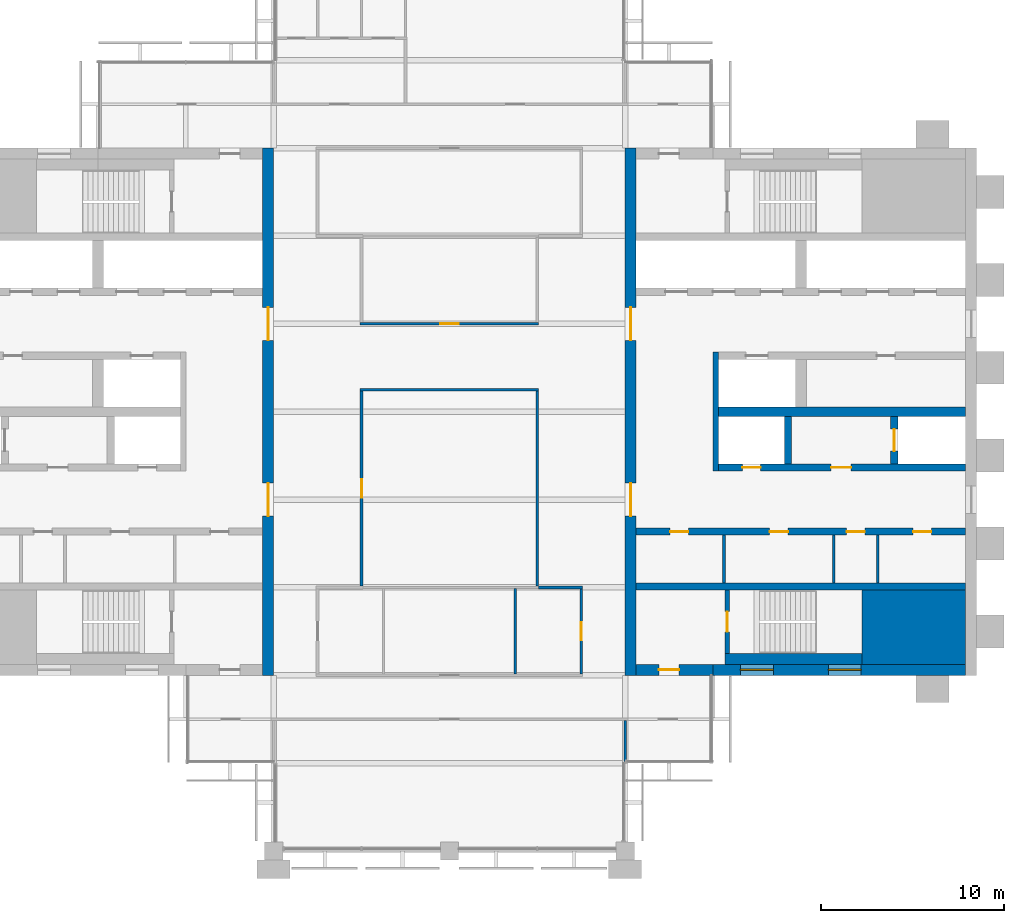
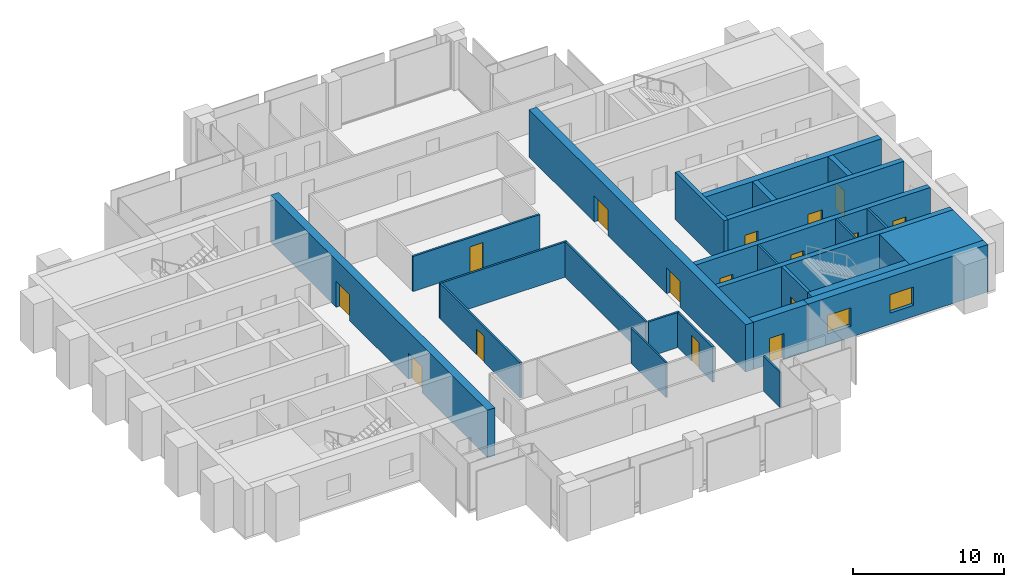
# One storey, part 9 of 12: 25 walls, 16 doors, 2 windows, 18 openings.
"""IFC4 building model written with IfcOpenShell, lengths in metres."""

from ifc_helpers import new_model, si_unit, direction, frame, frame_2d, origin, place, context, subcontext, project, spatial, rectangle, extrude, material, layer, layer_set, type_object, element, fill, save


model = new_model("IFC4")

# Units and contexts
model_context = context("Model", 3, precision=1e-05, world=origin(), true_north=direction((0.0, 1.0)))
body_context = subcontext(model_context, "Body", "Model", "MODEL_VIEW")
ifc_project = project(units=[si_unit("LENGTHUNIT", "METRE"), si_unit("AREAUNIT", "SQUARE_METRE"), si_unit("VOLUMEUNIT", "CUBIC_METRE"), si_unit("PLANEANGLEUNIT", "RADIAN"), si_unit("MASSUNIT", "GRAM", prefix="KILO")], contexts=[model_context])

# Site, building, storey
site_placement = place(None, origin())
site = spatial("IfcSite", under=ifc_project, at=site_placement, CompositionType="ELEMENT")
building_placement = place(site_placement, origin())
building = spatial("IfcBuilding", under=site, at=building_placement, Name="Baori Bourse Tower", CompositionType="ELEMENT")
storey_placement = place(building_placement, frame((0.0, 0.0, 286.300048828125)))
storey = spatial("IfcBuildingStorey", under=building, at=storey_placement, Name="L62", CompositionType="ELEMENT", Elevation=286.300048828125)

# Walls
ifc_material_1 = material(Name="Concrete f'c 40 MPa", Category="concrete")
wall_type_1 = type_object("IfcWallType", Name="Core corner block f'c 40", PredefinedType="SHEAR", material=ifc_material_1)
wall_1_placement = place(storey_placement, frame((51.35009765625, 12.22509765625, 0.0), z_axis=(0.0, 0.0, 1.0), x_axis=(1.0, 0.0, 0.0)))
element("IfcWall", 1, at=wall_1_placement, inside=storey, type_object=wall_type_1, Name="Core wall E05", PredefinedType="SHEAR", context=body_context, shape_type="SweptSolid", body=[
    extrude(rectangle(XDim=5.64990234375, YDim=4.050048828125, at=frame_2d((2.824951171875, 0.0))), origin(), (0.0, 0.0, 1.0), 3.83984375),
])
ifc_material_2 = material(Name="Blockwork partition", Category="masonry")
ifc_layer_1 = layer(ifc_material_2, 0.14990234375)
ifc_layer_set_1 = layer_set([ifc_layer_1], Name="Core partition 150")
wall_type_2 = type_object("IfcWallType", Name="Core partition 150", PredefinedType="PARTITIONING", material=ifc_layer_set_1)
for number, where, z_axis, x_axis, name in (
    (2, (52.199951171875, 14.64990234375, 0.0), (0.0, 0.0, 1.0), (0.0, 1.0, 0.0), "Partition wall E09"),
    (3, (49.800048828125, 14.64990234375, 0.0), (0.0, 0.0, 1.0), (0.0, 1.0, 0.0), "Partition wall E10"),
    (4, (43.800048828125, 14.64990234375, 0.0), (0.0, 0.0, 1.0), (0.0, 1.0, 0.0), "Partition wall E11"),
):
    element("IfcWall", number, at=place(storey_placement, frame(where, z_axis=z_axis, x_axis=x_axis)), inside=storey, type_object=wall_type_2, Name=name, PredefinedType="PARTITIONING", context=body_context, shape_type="SweptSolid", body=[
        extrude(rectangle(XDim=2.60009765625, YDim=0.14990234375, at=frame_2d((1.300048828125, 0.0))), origin(), (0.0, 0.0, 1.0), 3.83984375),
    ])

# Wall, openings, doors
ifc_material_3 = material(Name="Concrete f'c 40 MPa", Category="concrete")
ifc_layer_2 = layer(ifc_material_3, 0.60009765625)
ifc_layer_set_2 = layer_set([ifc_layer_2], Name="Core wall 600 f'c 40")
wall_type_3 = type_object("IfcWallType", Name="Core wall 600 f'c 40", PredefinedType="SHEAR", material=ifc_layer_set_2)
wall_2_placement = place(storey_placement, frame((18.89990234375, 38.39990234375, 0.0), z_axis=(0.0, 0.0, 1.0), x_axis=(0.0, -1.0, 0.0)))
wall_2 = element("IfcWall", 5, at=wall_2_placement, inside=storey, type_object=wall_type_3, Name="Core wall W04", PredefinedType="SHEAR", context=body_context, shape_type="SweptSolid", body=[
    extrude(rectangle(XDim=28.7998046875, YDim=0.60009765625, at=frame_2d((14.39990234375, 0.0))), origin(), (0.0, 0.0, 1.0), 3.83984375),
])
opening_1_placement = place(wall_2_placement, frame((18.300048828125, 0.0, 0.0)))
opening_1 = element("IfcOpeningElement", 6, at=opening_1_placement, cuts=wall_2, Name="Opening L62-D107", PredefinedType="OPENING", context=body_context, shape_type="SweptSolid", body=[
    extrude(rectangle(XDim=1.800048828125, YDim=2.10009765625, at=frame_2d((0.89990234375, 1.050048828125))), frame((0.0, 0.31005859375, 0.0), z_axis=(0.0, -1.0, 0.0), x_axis=(1.0, 0.0, 0.0)), (0.0, 0.0, 1.0), 0.6201171875),
])
opening_2_placement = place(wall_2_placement, frame((8.699951171875, 0.0, 0.0)))
opening_2 = element("IfcOpeningElement", 7, at=opening_2_placement, cuts=wall_2, Name="Opening L62-D108", PredefinedType="OPENING", context=body_context, shape_type="SweptSolid", body=[
    extrude(rectangle(XDim=1.800048828125, YDim=2.10009765625, at=frame_2d((0.89990234375, 1.050048828125))), frame((0.0, 0.31005859375, 0.0), z_axis=(0.0, -1.0, 0.0), x_axis=(1.0, 0.0, 0.0)), (0.0, 0.0, 1.0), 0.6201171875),
])
ifc_material_4 = material(Name="Painted steel door", Category="steel")
door_type_1 = type_object("IfcDoorType", Name="Core lobby door 1800", OperationType="DOUBLE_DOOR_SINGLE_SWING", PredefinedType="DOOR", material=ifc_material_4)
door_1_placement = place(opening_1_placement, origin())
door_1 = element("IfcDoor", 8, at=door_1_placement, inside=storey, type_object=door_type_1, Name="Lobby door W L62", OperationType="DOUBLE_DOOR_SINGLE_SWING", OverallHeight=2.10009765625, OverallWidth=1.800048828125, PredefinedType="DOOR", context=body_context, shape_type="SweptSolid", body=[
    extrude(rectangle(XDim=1.800048828125, YDim=2.10009765625, at=frame_2d((0.89990234375, 1.050048828125))), frame((0.0, 0.02490234375, 0.0), z_axis=(0.0, -1.0, 0.0), x_axis=(1.0, 0.0, 0.0)), (0.0, 0.0, 1.0), 0.050048828125),
])
fill(opening_1, door_1)
door_2_placement = place(opening_2_placement, origin())
door_2 = element("IfcDoor", 9, at=door_2_placement, inside=storey, type_object=door_type_1, Name="Lobby door W L62", OperationType="DOUBLE_DOOR_SINGLE_SWING", OverallHeight=2.10009765625, OverallWidth=1.800048828125, PredefinedType="DOOR", context=body_context, shape_type="SweptSolid", body=[
    extrude(rectangle(XDim=1.800048828125, YDim=2.10009765625, at=frame_2d((0.89990234375, 1.050048828125))), frame((0.0, 0.02490234375, 0.0), z_axis=(0.0, -1.0, 0.0), x_axis=(1.0, 0.0, 0.0)), (0.0, 0.0, 1.0), 0.050048828125),
])
fill(opening_2, door_2)

# Wall, openings, windows
wall_3_placement = place(storey_placement, frame((57.0, 9.89990234375, 0.0), z_axis=(0.0, 0.0, 1.0), x_axis=(-1.0, 0.0, 0.0)))
wall_3 = element("IfcWall", 10, at=wall_3_placement, inside=storey, type_object=wall_type_3, Name="Core wall E02", PredefinedType="SHEAR", context=body_context, shape_type="SweptSolid", body=[
    extrude(rectangle(XDim=13.800048828125, YDim=0.60009765625, at=frame_2d((6.89990234375, 0.0))), origin(), (0.0, 0.0, 1.0), 3.83984375),
])
opening_3_placement = place(wall_3_placement, frame((5.699951171875, 0.0, 0.89990234375)))
opening_3 = element("IfcOpeningElement", 11, at=opening_3_placement, cuts=wall_3, Name="Opening L62-KW203", PredefinedType="OPENING", context=body_context, shape_type="SweptSolid", body=[
    extrude(rectangle(XDim=1.800048828125, YDim=1.5, at=frame_2d((0.89990234375, 0.75))), frame((0.0, 0.31005859375, 0.0), z_axis=(0.0, -1.0, 0.0), x_axis=(1.0, 0.0, 0.0)), (0.0, 0.0, 1.0), 0.6201171875),
])
opening_4_placement = place(wall_3_placement, frame((10.5, 0.0, 0.89990234375)))
opening_4 = element("IfcOpeningElement", 12, at=opening_4_placement, cuts=wall_3, Name="Opening L62-KW204", PredefinedType="OPENING", context=body_context, shape_type="SweptSolid", body=[
    extrude(rectangle(XDim=1.800048828125, YDim=1.5, at=frame_2d((0.89990234375, 0.75))), frame((0.0, 0.31005859375, 0.0), z_axis=(0.0, -1.0, 0.0), x_axis=(1.0, 0.0, 0.0)), (0.0, 0.0, 1.0), 0.6201171875),
])
ifc_material_5 = material(Name="Pale anodised aluminium", Category="aluminium")
window_type = type_object("IfcWindowType", Name="Stair window 1800 x 1500", PartitioningType="SINGLE_PANEL", PredefinedType="WINDOW", material=ifc_material_5)
window_1_placement = place(opening_3_placement, origin())
window_1 = element("IfcWindow", 13, at=window_1_placement, inside=storey, type_object=window_type, Name="Stair window E L62 3", OverallHeight=1.5, OverallWidth=1.800048828125, PartitioningType="SINGLE_PANEL", PredefinedType="WINDOW", context=body_context, shape_type="SweptSolid", body=[
    extrude(rectangle(XDim=1.800048828125, YDim=1.5, at=frame_2d((0.89990234375, 0.75))), frame((0.0, 0.030029296875, 0.0), z_axis=(0.0, -1.0, 0.0), x_axis=(1.0, 0.0, 0.0)), (0.0, 0.0, 1.0), 0.06005859375),
])
fill(opening_3, window_1)
window_2_placement = place(opening_4_placement, origin())
window_2 = element("IfcWindow", 14, at=window_2_placement, inside=storey, type_object=window_type, Name="Stair window E L62 4", OverallHeight=1.5, OverallWidth=1.800048828125, PartitioningType="SINGLE_PANEL", PredefinedType="WINDOW", context=body_context, shape_type="SweptSolid", body=[
    extrude(rectangle(XDim=1.800048828125, YDim=1.5, at=frame_2d((0.89990234375, 0.75))), frame((0.0, 0.030029296875, 0.0), z_axis=(0.0, -1.0, 0.0), x_axis=(1.0, 0.0, 0.0)), (0.0, 0.0, 1.0), 0.06005859375),
])
fill(opening_4, window_2)

# Wall, opening, door
wall_4_placement = place(storey_placement, frame((43.199951171875, 9.89990234375, 0.0), z_axis=(0.0, 0.0, 1.0), x_axis=(-1.0, 0.0, 0.0)))
wall_4 = element("IfcWall", 15, at=wall_4_placement, inside=storey, type_object=wall_type_3, Name="Core wall E03", PredefinedType="SHEAR", context=body_context, shape_type="SweptSolid", body=[
    extrude(rectangle(XDim=4.199951171875, YDim=0.60009765625, at=frame_2d((2.10009765625, 0.0))), origin(), (0.0, 0.0, 1.0), 3.83984375),
])
opening_5_placement = place(wall_4_placement, frame((1.85009765625, 0.0, 0.0)))
opening_5 = element("IfcOpeningElement", 16, at=opening_5_placement, cuts=wall_4, Name="Opening L62-D202", PredefinedType="OPENING", context=body_context, shape_type="SweptSolid", body=[
    extrude(rectangle(XDim=1.10009765625, YDim=2.10009765625, at=frame_2d((0.550048828125, 1.050048828125))), frame((0.0, 0.31005859375, 0.0), z_axis=(0.0, -1.0, 0.0), x_axis=(1.0, 0.0, 0.0)), (0.0, 0.0, 1.0), 0.6201171875),
])
ifc_material_6 = material(Name="Painted steel door", Category="steel")
door_type_2 = type_object("IfcDoorType", Name="Stair door 1100", OperationType="SINGLE_SWING_LEFT", PredefinedType="DOOR", material=ifc_material_6)
door_3_placement = place(opening_5_placement, origin())
door_3 = element("IfcDoor", 17, at=door_3_placement, inside=storey, type_object=door_type_2, Name="Stair vestibule door A E L62", OperationType="SINGLE_SWING_LEFT", OverallHeight=2.10009765625, OverallWidth=1.10009765625, PredefinedType="DOOR", context=body_context, shape_type="SweptSolid", body=[
    extrude(rectangle(XDim=1.10009765625, YDim=2.10009765625, at=frame_2d((0.550048828125, 1.050048828125))), frame((0.0, 0.02490234375, 0.0), z_axis=(0.0, -1.0, 0.0), x_axis=(1.0, 0.0, 0.0)), (0.0, 0.0, 1.0), 0.050048828125),
])
fill(opening_5, door_3)

# Wall, openings, doors
wall_5_placement = place(storey_placement, frame((38.699951171875, 9.60009765625, 0.0), z_axis=(0.0, 0.0, 1.0), x_axis=(0.0, 1.0, 0.0)))
wall_5 = element("IfcWall", 18, at=wall_5_placement, inside=storey, type_object=wall_type_3, Name="Core wall E04", PredefinedType="SHEAR", context=body_context, shape_type="SweptSolid", body=[
    extrude(rectangle(XDim=28.7998046875, YDim=0.60009765625, at=frame_2d((14.39990234375, 0.0))), origin(), (0.0, 0.0, 1.0), 3.83984375),
])
opening_6_placement = place(wall_5_placement, frame((8.699951171875, 0.0, 0.0)))
opening_6 = element("IfcOpeningElement", 19, at=opening_6_placement, cuts=wall_5, Name="Opening L62-D207", PredefinedType="OPENING", context=body_context, shape_type="SweptSolid", body=[
    extrude(rectangle(XDim=1.800048828125, YDim=2.10009765625, at=frame_2d((0.89990234375, 1.050048828125))), frame((0.0, 0.31005859375, 0.0), z_axis=(0.0, -1.0, 0.0), x_axis=(1.0, 0.0, 0.0)), (0.0, 0.0, 1.0), 0.6201171875),
])
opening_7_placement = place(wall_5_placement, frame((18.300048828125, 0.0, 0.0)))
opening_7 = element("IfcOpeningElement", 20, at=opening_7_placement, cuts=wall_5, Name="Opening L62-D208", PredefinedType="OPENING", context=body_context, shape_type="SweptSolid", body=[
    extrude(rectangle(XDim=1.800048828125, YDim=2.10009765625, at=frame_2d((0.89990234375, 1.050048828125))), frame((0.0, 0.31005859375, 0.0), z_axis=(0.0, -1.0, 0.0), x_axis=(1.0, 0.0, 0.0)), (0.0, 0.0, 1.0), 0.6201171875),
])
door_4_placement = place(opening_6_placement, origin())
door_4 = element("IfcDoor", 21, at=door_4_placement, inside=storey, type_object=door_type_1, Name="Lobby door E L62", OperationType="DOUBLE_DOOR_SINGLE_SWING", OverallHeight=2.10009765625, OverallWidth=1.800048828125, PredefinedType="DOOR", context=body_context, shape_type="SweptSolid", body=[
    extrude(rectangle(XDim=1.800048828125, YDim=2.10009765625, at=frame_2d((0.89990234375, 1.050048828125))), frame((0.0, 0.02490234375, 0.0), z_axis=(0.0, -1.0, 0.0), x_axis=(1.0, 0.0, 0.0)), (0.0, 0.0, 1.0), 0.050048828125),
])
fill(opening_6, door_4)
door_5_placement = place(opening_7_placement, origin())
door_5 = element("IfcDoor", 22, at=door_5_placement, inside=storey, type_object=door_type_1, Name="Lobby door E L62", OperationType="DOUBLE_DOOR_SINGLE_SWING", OverallHeight=2.10009765625, OverallWidth=1.800048828125, PredefinedType="DOOR", context=body_context, shape_type="SweptSolid", body=[
    extrude(rectangle(XDim=1.800048828125, YDim=2.10009765625, at=frame_2d((0.89990234375, 1.050048828125))), frame((0.0, 0.02490234375, 0.0), z_axis=(0.0, -1.0, 0.0), x_axis=(1.0, 0.0, 0.0)), (0.0, 0.0, 1.0), 0.050048828125),
])
fill(opening_7, door_5)

# Walls
ifc_material_7 = material(Name="Gypsum board partition")
ifc_layer_3 = layer(ifc_material_7, 0.14990234375)
ifc_layer_set_3 = layer_set([ifc_layer_3], Name="Corridor partition 150")
wall_type_4 = type_object("IfcWallType", Name="Corridor partition 150", PredefinedType="PARTITIONING", material=ifc_layer_set_3)
wall_6_placement = place(storey_placement, frame((33.675048828125, 14.39990234375, 0.0), z_axis=(0.0, 0.0, 1.0), x_axis=(1.0, 0.0, 0.0)))
element("IfcWall", 23, at=wall_6_placement, inside=storey, type_object=wall_type_4, Name="Partition", PredefinedType="PARTITIONING", context=body_context, shape_type="SweptSolid", body=[
    extrude(rectangle(XDim=2.39990234375, YDim=0.14990234375, at=frame_2d((1.199951171875, 0.0))), origin(), (0.0, 0.0, 1.0), 2.849365234375),
])
wall_7_placement = place(storey_placement, frame((23.925048828125, 25.199951171875, 0.0), z_axis=(0.0, 0.0, 1.0), x_axis=(1.0, 0.0, 0.0)))
element("IfcWall", 24, at=wall_7_placement, inside=storey, type_object=wall_type_4, Name="Partition", PredefinedType="PARTITIONING", context=body_context, shape_type="SweptSolid", body=[
    extrude(rectangle(XDim=9.75, YDim=0.14990234375, at=frame_2d((4.875, 0.0))), origin(), (0.0, 0.0, 1.0), 2.849365234375),
])

# Wall, opening, door
wall_8_placement = place(storey_placement, frame((23.925048828125, 28.800048828125, 0.0), z_axis=(0.0, 0.0, 1.0), x_axis=(1.0, 0.0, 0.0)))
wall_8 = element("IfcWall", 25, at=wall_8_placement, inside=storey, type_object=wall_type_4, Name="Partition", PredefinedType="PARTITIONING", context=body_context, shape_type="SweptSolid", body=[
    extrude(rectangle(XDim=9.75, YDim=0.14990234375, at=frame_2d((4.875, 0.0))), origin(), (0.0, 0.0, 1.0), 2.849365234375),
])
opening_8_placement = place(wall_8_placement, frame((4.375, 0.0, 0.0)))
opening_8 = element("IfcOpeningElement", 26, at=opening_8_placement, cuts=wall_8, Name="Opening L62-D05", PredefinedType="OPENING", context=body_context, shape_type="SweptSolid", body=[
    extrude(rectangle(XDim=1.0, YDim=2.10009765625, at=frame_2d((0.5, 1.050048828125))), frame((0.0, 0.0849609375, 0.0), z_axis=(0.0, -1.0, 0.0), x_axis=(1.0, 0.0, 0.0)), (0.0, 0.0, 1.0), 0.169921875),
])
ifc_material_8 = material(Name="Timber door leaf", Category="wood")
door_type_3 = type_object("IfcDoorType", Name="Door 1000 x 2100", OperationType="SINGLE_SWING_LEFT", PredefinedType="DOOR", material=ifc_material_8)
door_6_placement = place(opening_8_placement, origin())
door_6 = element("IfcDoor", 27, at=door_6_placement, inside=storey, type_object=door_type_3, Name="Door", OperationType="SINGLE_SWING_LEFT", OverallHeight=2.10009765625, OverallWidth=1.0, PredefinedType="DOOR", context=body_context, shape_type="SweptSolid", body=[
    extrude(rectangle(XDim=1.0, YDim=2.10009765625, at=frame_2d((0.5, 1.050048828125))), frame((0.0, 0.02490234375, 0.0), z_axis=(0.0, -1.0, 0.0), x_axis=(1.0, 0.0, 0.0)), (0.0, 0.0, 1.0), 0.050048828125),
])
fill(opening_8, door_6)

wall_9_placement = place(storey_placement, frame((24.0, 14.47509765625, 0.0), z_axis=(0.0, 0.0, 1.0), x_axis=(0.0, 1.0, 0.0)))
wall_9 = element("IfcWall", 28, at=wall_9_placement, inside=storey, type_object=wall_type_4, Name="Partition", PredefinedType="PARTITIONING", context=body_context, shape_type="SweptSolid", body=[
    extrude(rectangle(XDim=10.64990234375, YDim=0.14990234375, at=frame_2d((5.324951171875, 0.0))), origin(), (0.0, 0.0, 1.0), 2.849365234375),
])
opening_9_placement = place(wall_9_placement, frame((4.824951171875, 0.0, 0.0)))
opening_9 = element("IfcOpeningElement", 29, at=opening_9_placement, cuts=wall_9, Name="Opening L62-D15", PredefinedType="OPENING", context=body_context, shape_type="SweptSolid", body=[
    extrude(rectangle(XDim=1.0, YDim=2.10009765625, at=frame_2d((0.5, 1.050048828125))), frame((0.0, 0.0849609375, 0.0), z_axis=(0.0, -1.0, 0.0), x_axis=(1.0, 0.0, 0.0)), (0.0, 0.0, 1.0), 0.169921875),
])
door_7_placement = place(opening_9_placement, origin())
door_7 = element("IfcDoor", 30, at=door_7_placement, inside=storey, type_object=door_type_3, Name="Door", OperationType="SINGLE_SWING_RIGHT", OverallHeight=2.10009765625, OverallWidth=1.0, PredefinedType="DOOR", context=body_context, shape_type="SweptSolid", body=[
    extrude(rectangle(XDim=1.0, YDim=2.10009765625, at=frame_2d((0.5, 1.050048828125))), frame((0.0, 0.02490234375, 0.0), z_axis=(0.0, -1.0, 0.0), x_axis=(1.0, 0.0, 0.0)), (0.0, 0.0, 1.0), 0.050048828125),
])
fill(opening_9, door_7)

# Wall
wall_10_placement = place(storey_placement, frame((33.60009765625, 14.47509765625, 0.0), z_axis=(0.0, 0.0, 1.0), x_axis=(0.0, 1.0, 0.0)))
element("IfcWall", 31, at=wall_10_placement, inside=storey, type_object=wall_type_4, Name="Partition", PredefinedType="PARTITIONING", context=body_context, shape_type="SweptSolid", body=[
    extrude(rectangle(XDim=10.64990234375, YDim=0.14990234375, at=frame_2d((5.324951171875, 0.0))), origin(), (0.0, 0.0, 1.0), 2.849365234375),
])

# Wall, opening, door
wall_11_placement = place(storey_placement, frame((36.0, 9.675048828125, 0.0), z_axis=(0.0, 0.0, 1.0), x_axis=(0.0, 1.0, 0.0)))
wall_11 = element("IfcWall", 32, at=wall_11_placement, inside=storey, type_object=wall_type_4, Name="Partition", PredefinedType="PARTITIONING", context=body_context, shape_type="SweptSolid", body=[
    extrude(rectangle(XDim=4.64990234375, YDim=0.14990234375, at=frame_2d((2.324951171875, 0.0))), origin(), (0.0, 0.0, 1.0), 2.849365234375),
])
opening_10_placement = place(wall_11_placement, frame((1.824951171875, 0.0, 0.0)))
opening_10 = element("IfcOpeningElement", 33, at=opening_10_placement, cuts=wall_11, Name="Opening L62-D16", PredefinedType="OPENING", context=body_context, shape_type="SweptSolid", body=[
    extrude(rectangle(XDim=1.0, YDim=2.10009765625, at=frame_2d((0.5, 1.050048828125))), frame((0.0, 0.0849609375, 0.0), z_axis=(0.0, -1.0, 0.0), x_axis=(1.0, 0.0, 0.0)), (0.0, 0.0, 1.0), 0.169921875),
])
door_8_placement = place(opening_10_placement, origin())
door_8 = element("IfcDoor", 34, at=door_8_placement, inside=storey, type_object=door_type_3, Name="Door", OperationType="SINGLE_SWING_RIGHT", OverallHeight=2.10009765625, OverallWidth=1.0, PredefinedType="DOOR", context=body_context, shape_type="SweptSolid", body=[
    extrude(rectangle(XDim=1.0, YDim=2.10009765625, at=frame_2d((0.5, 1.050048828125))), frame((0.0, 0.02490234375, 0.0), z_axis=(0.0, -1.0, 0.0), x_axis=(1.0, 0.0, 0.0)), (0.0, 0.0, 1.0), 0.050048828125),
])
fill(opening_10, door_8)

# Walls
ifc_material_9 = material(Name="Gypsum board partition")
ifc_layer_4 = layer(ifc_material_9, 0.125)
ifc_layer_set_4 = layer_set([ifc_layer_4], Name="Partition 125")
wall_type_5 = type_object("IfcWallType", Name="Partition 125", PredefinedType="PARTITIONING", material=ifc_layer_set_4)
wall_12_placement = place(storey_placement, frame((32.39990234375, 9.675048828125, 0.0), z_axis=(0.0, 0.0, 1.0), x_axis=(0.0, 1.0, 0.0)))
element("IfcWall", 35, at=wall_12_placement, inside=storey, type_object=wall_type_5, Name="Partition", PredefinedType="PARTITIONING", context=body_context, shape_type="SweptSolid", body=[
    extrude(rectangle(XDim=4.662353515625, YDim=0.125, at=frame_2d((2.3310546875, 0.0))), origin(), (0.0, 0.0, 1.0), 2.849365234375),
])
wall_13_placement = place(storey_placement, frame((38.39990234375, 4.89990234375, 0.0), z_axis=(0.0, 0.0, 1.0), x_axis=(0.0, 1.0, 0.0)))
element("IfcWall", 36, at=wall_13_placement, inside=storey, type_object=wall_type_5, Name="Partition", PredefinedType="PARTITIONING", context=body_context, shape_type="SweptSolid", body=[
    extrude(rectangle(XDim=2.22509765625, YDim=0.125, at=frame_2d((1.112548828125, 0.0))), origin(), (0.0, 0.0, 1.0), 2.849365234375),
])

# Wall, opening, door
ifc_material_10 = material(Name="Concrete f'c 40 MPa", Category="concrete")
ifc_layer_5 = layer(ifc_material_10, 0.25)
ifc_layer_set_5 = layer_set([ifc_layer_5], Name="Shaft wall 250 f'c 40")
wall_type_6 = type_object("IfcWallType", Name="Shaft wall 250 f'c 40", PredefinedType="SHEAR", material=ifc_layer_set_5)
wall_14_placement = place(storey_placement, frame((43.97509765625, 10.800048828125, 0.0), z_axis=(0.0, 0.0, 1.0), x_axis=(0.0, 1.0, 0.0)))
wall_14 = element("IfcWall", 37, at=wall_14_placement, inside=storey, type_object=wall_type_6, Name="Core wall E07", PredefinedType="SHEAR", context=body_context, shape_type="SweptSolid", body=[
    extrude(rectangle(XDim=3.449951171875, YDim=0.25, at=frame_2d((1.72509765625, 0.0))), origin(), (0.0, 0.0, 1.0), 3.83984375),
])
opening_11_placement = place(wall_14_placement, frame((1.175048828125, 0.0, 0.0)))
opening_11 = element("IfcOpeningElement", 38, at=opening_11_placement, cuts=wall_14, Name="Opening L62-D201", PredefinedType="OPENING", context=body_context, shape_type="SweptSolid", body=[
    extrude(rectangle(XDim=1.10009765625, YDim=2.10009765625, at=frame_2d((0.550048828125, 1.050048828125))), frame((0.0, 0.135009765625, 0.0), z_axis=(0.0, -1.0, 0.0), x_axis=(1.0, 0.0, 0.0)), (0.0, 0.0, 1.0), 0.27001953125),
])
door_9_placement = place(opening_11_placement, origin())
door_9 = element("IfcDoor", 39, at=door_9_placement, inside=storey, type_object=door_type_2, Name="Stair door A E L62", OperationType="SINGLE_SWING_LEFT", OverallHeight=2.10009765625, OverallWidth=1.10009765625, PredefinedType="DOOR", context=body_context, shape_type="SweptSolid", body=[
    extrude(rectangle(XDim=1.10009765625, YDim=2.10009765625, at=frame_2d((0.550048828125, 1.050048828125))), frame((0.0, 0.02490234375, 0.0), z_axis=(0.0, -1.0, 0.0), x_axis=(1.0, 0.0, 0.0)), (0.0, 0.0, 1.0), 0.050048828125),
])
fill(opening_11, door_9)

# Walls
ifc_material_11 = material(Name="Concrete f'c 40 MPa", Category="concrete")
ifc_layer_6 = layer(ifc_material_11, 0.300048828125)
ifc_layer_set_6 = layer_set([ifc_layer_6], Name="Shaft wall 300 f'c 40")
wall_type_7 = type_object("IfcWallType", Name="Shaft wall 300 f'c 40", PredefinedType="SHEAR", material=ifc_layer_set_6)
wall_15_placement = place(storey_placement, frame((43.35009765625, 20.75, 0.0), z_axis=(0.0, 0.0, 1.0), x_axis=(0.0, 1.0, 0.0)))
element("IfcWall", 40, at=wall_15_placement, inside=storey, type_object=wall_type_7, Name="Core wall E14", PredefinedType="SHEAR", context=body_context, shape_type="SweptSolid", body=[
    extrude(rectangle(XDim=6.5, YDim=0.300048828125, at=frame_2d((3.25, 0.0))), origin(), (0.0, 0.0, 1.0), 3.83984375),
])
ifc_material_12 = material(Name="Concrete f'c 40 MPa", Category="concrete")
ifc_layer_7 = layer(ifc_material_12, 0.39990234375)
ifc_layer_set_7 = layer_set([ifc_layer_7], Name="Shaft wall 400 f'c 40")
wall_type_8 = type_object("IfcWallType", Name="Shaft wall 400 f'c 40", PredefinedType="SHEAR", material=ifc_layer_set_7)
wall_16_placement = place(storey_placement, frame((39.0, 14.449951171875, 0.0), z_axis=(0.0, 0.0, 1.0), x_axis=(1.0, 0.0, 0.0)))
element("IfcWall", 41, at=wall_16_placement, inside=storey, type_object=wall_type_8, Name="Core wall E08", PredefinedType="SHEAR", context=body_context, shape_type="SweptSolid", body=[
    extrude(rectangle(XDim=18.0, YDim=0.39990234375, at=frame_2d((9.0, 0.0))), origin(), (0.0, 0.0, 1.0), 3.83984375),
])

# Wall, openings, doors
wall_17_placement = place(storey_placement, frame((39.0, 17.449951171875, 0.0), z_axis=(0.0, 0.0, 1.0), x_axis=(1.0, 0.0, 0.0)))
wall_17 = element("IfcWall", 42, at=wall_17_placement, inside=storey, type_object=wall_type_8, Name="Core wall E12", PredefinedType="SHEAR", context=body_context, shape_type="SweptSolid", body=[
    extrude(rectangle(XDim=18.0, YDim=0.39990234375, at=frame_2d((9.0, 0.0))), origin(), (0.0, 0.0, 1.0), 3.83984375),
])
opening_12_placement = place(wall_17_placement, frame((15.137451171875, 0.0, 0.0)))
opening_12 = element("IfcOpeningElement", 43, at=opening_12_placement, cuts=wall_17, Name="Opening L62-D209", PredefinedType="OPENING", context=body_context, shape_type="SweptSolid", body=[
    extrude(rectangle(XDim=1.0, YDim=2.10009765625, at=frame_2d((0.5, 1.050048828125))), frame((0.0, 0.2099609375, 0.0), z_axis=(0.0, -1.0, 0.0), x_axis=(1.0, 0.0, 0.0)), (0.0, 0.0, 1.0), 0.419921875),
])
opening_13_placement = place(wall_17_placement, frame((11.5, 0.0, 0.0)))
opening_13 = element("IfcOpeningElement", 44, at=opening_13_placement, cuts=wall_17, Name="Opening L62-D210", PredefinedType="OPENING", context=body_context, shape_type="SweptSolid", body=[
    extrude(rectangle(XDim=1.0, YDim=2.10009765625, at=frame_2d((0.5, 1.050048828125))), frame((0.0, 0.2099609375, 0.0), z_axis=(0.0, -1.0, 0.0), x_axis=(1.0, 0.0, 0.0)), (0.0, 0.0, 1.0), 0.419921875),
])
opening_14_placement = place(wall_17_placement, frame((7.300048828125, 0.0, 0.0)))
opening_14 = element("IfcOpeningElement", 45, at=opening_14_placement, cuts=wall_17, Name="Opening L62-D211", PredefinedType="OPENING", context=body_context, shape_type="SweptSolid", body=[
    extrude(rectangle(XDim=1.0, YDim=2.10009765625, at=frame_2d((0.5, 1.050048828125))), frame((0.0, 0.2099609375, 0.0), z_axis=(0.0, -1.0, 0.0), x_axis=(1.0, 0.0, 0.0)), (0.0, 0.0, 1.0), 0.419921875),
])
opening_15_placement = place(wall_17_placement, frame((1.862548828125, 0.0, 0.0)))
opening_15 = element("IfcOpeningElement", 46, at=opening_15_placement, cuts=wall_17, Name="Opening L62-D212", PredefinedType="OPENING", context=body_context, shape_type="SweptSolid", body=[
    extrude(rectangle(XDim=1.0, YDim=2.10009765625, at=frame_2d((0.5, 1.050048828125))), frame((0.0, 0.2099609375, 0.0), z_axis=(0.0, -1.0, 0.0), x_axis=(1.0, 0.0, 0.0)), (0.0, 0.0, 1.0), 0.419921875),
])
ifc_material_13 = material(Name="Painted steel door", Category="steel")
door_type_4 = type_object("IfcDoorType", Name="Core door 1000", OperationType="SINGLE_SWING_LEFT", PredefinedType="DOOR", material=ifc_material_13)
door_10_placement = place(opening_12_placement, origin())
door_10 = element("IfcDoor", 47, at=door_10_placement, inside=storey, type_object=door_type_4, Name="Women'S Wc door E L62", OperationType="SINGLE_SWING_LEFT", OverallHeight=2.10009765625, OverallWidth=1.0, PredefinedType="DOOR", context=body_context, shape_type="SweptSolid", body=[
    extrude(rectangle(XDim=1.0, YDim=2.10009765625, at=frame_2d((0.5, 1.050048828125))), frame((0.0, 0.02490234375, 0.0), z_axis=(0.0, -1.0, 0.0), x_axis=(1.0, 0.0, 0.0)), (0.0, 0.0, 1.0), 0.050048828125),
])
fill(opening_12, door_10)
door_11_placement = place(opening_13_placement, origin())
door_11 = element("IfcDoor", 48, at=door_11_placement, inside=storey, type_object=door_type_4, Name="Store Room door E L62", OperationType="SINGLE_SWING_LEFT", OverallHeight=2.10009765625, OverallWidth=1.0, PredefinedType="DOOR", context=body_context, shape_type="SweptSolid", body=[
    extrude(rectangle(XDim=1.0, YDim=2.10009765625, at=frame_2d((0.5, 1.050048828125))), frame((0.0, 0.02490234375, 0.0), z_axis=(0.0, -1.0, 0.0), x_axis=(1.0, 0.0, 0.0)), (0.0, 0.0, 1.0), 0.050048828125),
])
fill(opening_13, door_11)
door_12_placement = place(opening_14_placement, origin())
door_12 = element("IfcDoor", 49, at=door_12_placement, inside=storey, type_object=door_type_4, Name="Men'S Wc door E L62", OperationType="SINGLE_SWING_LEFT", OverallHeight=2.10009765625, OverallWidth=1.0, PredefinedType="DOOR", context=body_context, shape_type="SweptSolid", body=[
    extrude(rectangle(XDim=1.0, YDim=2.10009765625, at=frame_2d((0.5, 1.050048828125))), frame((0.0, 0.02490234375, 0.0), z_axis=(0.0, -1.0, 0.0), x_axis=(1.0, 0.0, 0.0)), (0.0, 0.0, 1.0), 0.050048828125),
])
fill(opening_14, door_12)
door_13_placement = place(opening_15_placement, origin())
door_13 = element("IfcDoor", 50, at=door_13_placement, inside=storey, type_object=door_type_4, Name="Accessible Wc door E L62", OperationType="SINGLE_SWING_LEFT", OverallHeight=2.10009765625, OverallWidth=1.0, PredefinedType="DOOR", context=body_context, shape_type="SweptSolid", body=[
    extrude(rectangle(XDim=1.0, YDim=2.10009765625, at=frame_2d((0.5, 1.050048828125))), frame((0.0, 0.02490234375, 0.0), z_axis=(0.0, -1.0, 0.0), x_axis=(1.0, 0.0, 0.0)), (0.0, 0.0, 1.0), 0.050048828125),
])
fill(opening_15, door_13)

wall_18_placement = place(storey_placement, frame((43.5, 20.949951171875, 0.0), z_axis=(0.0, 0.0, 1.0), x_axis=(1.0, 0.0, 0.0)))
wall_18 = element("IfcWall", 51, at=wall_18_placement, inside=storey, type_object=wall_type_8, Name="Core wall E13", PredefinedType="SHEAR", context=body_context, shape_type="SweptSolid", body=[
    extrude(rectangle(XDim=13.5, YDim=0.39990234375, at=frame_2d((6.75, 0.0))), origin(), (0.0, 0.0, 1.0), 3.83984375),
])
opening_16_placement = place(wall_18_placement, frame((6.14990234375, 0.0, 0.0)))
opening_16 = element("IfcOpeningElement", 52, at=opening_16_placement, cuts=wall_18, Name="Opening L62-D205", PredefinedType="OPENING", context=body_context, shape_type="SweptSolid", body=[
    extrude(rectangle(XDim=1.10009765625, YDim=2.10009765625, at=frame_2d((0.550048828125, 1.050048828125))), frame((0.0, 0.2099609375, 0.0), z_axis=(0.0, -1.0, 0.0), x_axis=(1.0, 0.0, 0.0)), (0.0, 0.0, 1.0), 0.419921875),
])
opening_17_placement = place(wall_18_placement, frame((1.300048828125, 0.0, 0.0)))
opening_17 = element("IfcOpeningElement", 53, at=opening_17_placement, cuts=wall_18, Name="Opening L62-D206", PredefinedType="OPENING", context=body_context, shape_type="SweptSolid", body=[
    extrude(rectangle(XDim=1.0, YDim=2.10009765625, at=frame_2d((0.5, 1.050048828125))), frame((0.0, 0.2099609375, 0.0), z_axis=(0.0, -1.0, 0.0), x_axis=(1.0, 0.0, 0.0)), (0.0, 0.0, 1.0), 0.419921875),
])
ifc_material_14 = material(Name="Painted steel door", Category="steel")
door_type_5 = type_object("IfcDoorType", Name="Lobby door 1100", OperationType="SINGLE_SWING_LEFT", PredefinedType="DOOR", material=ifc_material_14)
door_14_placement = place(opening_16_placement, origin())
door_14 = element("IfcDoor", 54, at=door_14_placement, inside=storey, type_object=door_type_5, Name="Firefighting lobby door E L62", OperationType="SINGLE_SWING_LEFT", OverallHeight=2.10009765625, OverallWidth=1.10009765625, PredefinedType="DOOR", context=body_context, shape_type="SweptSolid", body=[
    extrude(rectangle(XDim=1.10009765625, YDim=2.10009765625, at=frame_2d((0.550048828125, 1.050048828125))), frame((0.0, 0.02490234375, 0.0), z_axis=(0.0, -1.0, 0.0), x_axis=(1.0, 0.0, 0.0)), (0.0, 0.0, 1.0), 0.050048828125),
])
fill(opening_16, door_14)
ifc_material_15 = material(Name="Painted steel door", Category="steel")
door_type_6 = type_object("IfcDoorType", Name="Shaft door 1000", OperationType="SINGLE_SWING_LEFT", PredefinedType="DOOR", material=ifc_material_15)
door_15_placement = place(opening_17_placement, origin())
door_15 = element("IfcDoor", 55, at=door_15_placement, inside=storey, type_object=door_type_6, Name="Riser room door E L62", OperationType="SINGLE_SWING_LEFT", OverallHeight=2.10009765625, OverallWidth=1.0, PredefinedType="DOOR", context=body_context, shape_type="SweptSolid", body=[
    extrude(rectangle(XDim=1.0, YDim=2.10009765625, at=frame_2d((0.5, 1.050048828125))), frame((0.0, 0.02490234375, 0.0), z_axis=(0.0, -1.0, 0.0), x_axis=(1.0, 0.0, 0.0)), (0.0, 0.0, 1.0), 0.050048828125),
])
fill(opening_17, door_15)

# Wall, opening, door
wall_19_placement = place(storey_placement, frame((53.10009765625, 21.14990234375, 0.0), z_axis=(0.0, 0.0, 1.0), x_axis=(0.0, 1.0, 0.0)))
wall_19 = element("IfcWall", 56, at=wall_19_placement, inside=storey, type_object=wall_type_8, Name="Core wall E15", PredefinedType="SHEAR", context=body_context, shape_type="SweptSolid", body=[
    extrude(rectangle(XDim=2.60009765625, YDim=0.39990234375, at=frame_2d((1.300048828125, 0.0))), origin(), (0.0, 0.0, 1.0), 3.83984375),
])
opening_18_placement = place(wall_19_placement, frame((0.699951171875, 0.0, 0.0)))
opening_18 = element("IfcOpeningElement", 57, at=opening_18_placement, cuts=wall_19, Name="Opening L62-D221", PredefinedType="OPENING", context=body_context, shape_type="SweptSolid", body=[
    extrude(rectangle(XDim=1.199951171875, YDim=2.10009765625, at=frame_2d((0.60009765625, 1.050048828125))), frame((0.0, 0.2099609375, 0.0), z_axis=(0.0, -1.0, 0.0), x_axis=(1.0, 0.0, 0.0)), (0.0, 0.0, 1.0), 0.419921875),
])
ifc_material_16 = material(Name="Stainless steel door", Category="steel")
door_type_7 = type_object("IfcDoorType", Name="Lift landing door", OperationType="DOUBLE_DOOR_SLIDING", PredefinedType="DOOR", material=ifc_material_16)
door_16_placement = place(opening_18_placement, origin())
door_16 = element("IfcDoor", 58, at=door_16_placement, inside=storey, type_object=door_type_7, Name="Lift landing door FF2 E L62", OperationType="DOUBLE_DOOR_SLIDING", OverallHeight=2.10009765625, OverallWidth=1.199951171875, PredefinedType="DOOR", context=body_context, shape_type="SweptSolid", body=[
    extrude(rectangle(XDim=1.199951171875, YDim=2.10009765625, at=frame_2d((0.60009765625, 1.050048828125))), frame((0.0, 0.02490234375, 0.0), z_axis=(0.0, -1.0, 0.0), x_axis=(1.0, 0.0, 0.0)), (0.0, 0.0, 1.0), 0.050048828125),
])
fill(opening_18, door_16)

# Walls
wall_20_placement = place(storey_placement, frame((47.300048828125, 21.14990234375, 0.0), z_axis=(0.0, 0.0, 1.0), x_axis=(0.0, 1.0, 0.0)))
element("IfcWall", 59, at=wall_20_placement, inside=storey, type_object=wall_type_8, Name="Core wall E16", PredefinedType="SHEAR", context=body_context, shape_type="SweptSolid", body=[
    extrude(rectangle(XDim=2.60009765625, YDim=0.39990234375, at=frame_2d((1.300048828125, 0.0))), origin(), (0.0, 0.0, 1.0), 3.83984375),
])
ifc_material_17 = material(Name="Concrete f'c 40 MPa", Category="concrete")
ifc_layer_8 = layer(ifc_material_17, 0.5)
ifc_layer_set_8 = layer_set([ifc_layer_8], Name="Shaft wall 500 f'c 40")
wall_type_9 = type_object("IfcWallType", Name="Shaft wall 500 f'c 40", PredefinedType="SHEAR", material=ifc_layer_set_8)
wall_21_placement = place(storey_placement, frame((43.5, 24.0, 0.0), z_axis=(0.0, 0.0, 1.0), x_axis=(1.0, 0.0, 0.0)))
element("IfcWall", 60, at=wall_21_placement, inside=storey, type_object=wall_type_9, Name="Core wall E17", PredefinedType="SHEAR", context=body_context, shape_type="SweptSolid", body=[
    extrude(rectangle(XDim=13.5, YDim=0.5, at=frame_2d((6.75, 0.0))), origin(), (0.0, 0.0, 1.0), 3.83984375),
])
ifc_material_18 = material(Name="Concrete f'c 40 MPa", Category="concrete")
ifc_layer_9 = layer(ifc_material_18, 0.60009765625)
ifc_layer_set_9 = layer_set([ifc_layer_9], Name="Shaft wall 600 f'c 40")
wall_type_10 = type_object("IfcWallType", Name="Shaft wall 600 f'c 40", PredefinedType="SHEAR", material=ifc_layer_set_9)
wall_22_placement = place(storey_placement, frame((43.85009765625, 10.5, 0.0), z_axis=(0.0, 0.0, 1.0), x_axis=(1.0, 0.0, 0.0)))
element("IfcWall", 61, at=wall_22_placement, inside=storey, type_object=wall_type_10, Name="Core wall E06", PredefinedType="SHEAR", context=body_context, shape_type="SweptSolid", body=[
    extrude(rectangle(XDim=7.5, YDim=0.60009765625, at=frame_2d((3.75, 0.0))), origin(), (0.0, 0.0, 1.0), 3.83984375),
])

save(model, "model.ifc")
